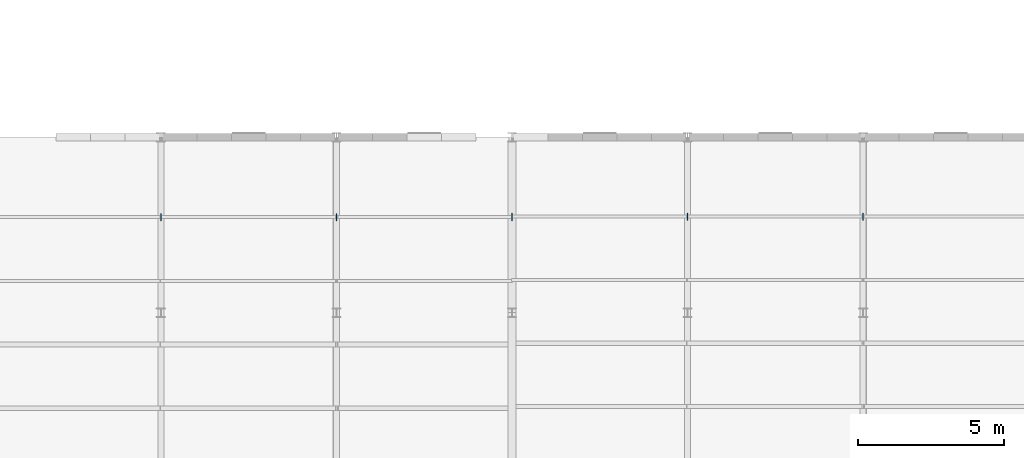
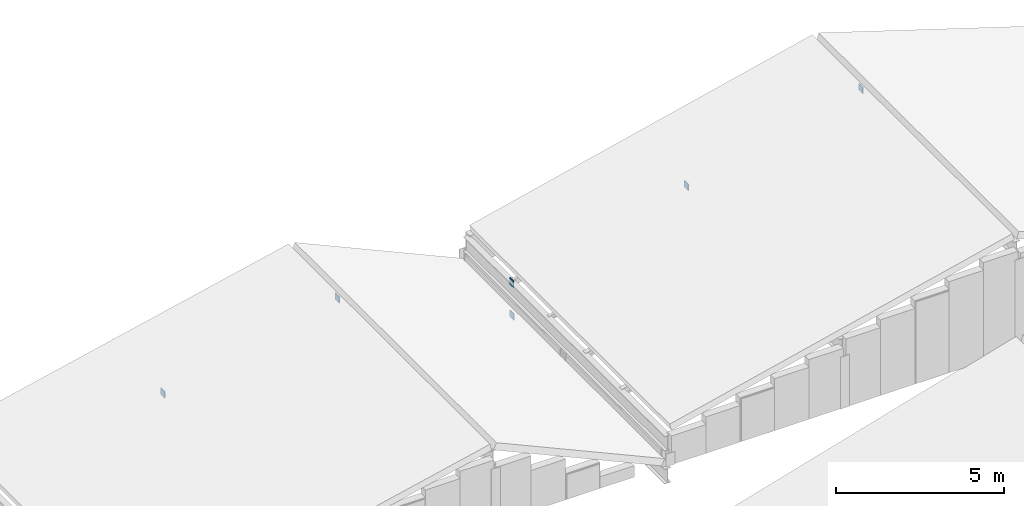
# One storey, part 59 of 74: 6 plates.
"""IFC4 building model written with IfcOpenShell, lengths in metres."""

from ifc_helpers import new_model, si_unit, direction, frame, origin, origin_2d, place, context, subcontext, project, spatial, rectangle, extrude, material, layer, layer_set, type_object, element, save


model = new_model("IFC4")

# Units and contexts
model_context = context("Model", 3, precision=1e-05, world=origin(), true_north=direction((0.0, 1.0)))
body_context = subcontext(model_context, "Body", "Model", "MODEL_VIEW")
ifc_project = project(units=[si_unit("LENGTHUNIT", "METRE"), si_unit("AREAUNIT", "SQUARE_METRE"), si_unit("VOLUMEUNIT", "CUBIC_METRE"), si_unit("PLANEANGLEUNIT", "RADIAN"), si_unit("MASSUNIT", "GRAM", prefix="KILO")], contexts=[model_context])

# Site, building, storey
site_placement = place(None, origin())
site = spatial("IfcSite", under=ifc_project, at=site_placement, CompositionType="ELEMENT")
building_placement = place(site_placement, origin())
building = spatial("IfcBuilding", under=site, at=building_placement, Name="Siltcreek Boulevard Central Fire Station", CompositionType="ELEMENT")
storey_placement = place(building_placement, frame((0.0, 0.0, 25.199951171875)))
storey = spatial("IfcBuildingStorey", under=building, at=storey_placement, Name="RF", CompositionType="ELEMENT", Elevation=25.199951171875)

# Plates
ifc_material = material(Name="Structural steel ASTM A572 Gr50", Category="steel")
ifc_layer = layer(ifc_material, 0.02490234375, Name="Structural steel ASTM A572 Gr50")
ifc_layer_set = layer_set([ifc_layer], Name="Structural steel ASTM A572 Gr50")
plate_type = type_object("IfcPlateType", Name="PL_CAP25", PredefinedType="USERDEFINED", material=ifc_layer_set)
for number, where, z_axis, x_axis, name in (
    (1, (130.2001953125, 27.27001953125, -10.19287109375), (0.0, 0.0, 1.0), (1.0, 0.0, 0.0), "Sloped roof purlin PR-0299 sealed end cap 2"),
    (2, (136.2001953125, 27.27001953125, -8.8427734375), (0.0, 0.0, 1.0), (1.0, 0.0, 0.0), "Sloped roof purlin PR-0303 sealed end cap 2"),
    (3, (142.19970703125, 27.27001953125, -11.5673828125), (0.0, 0.0, 1.0), (1.0, 0.0, 0.0), "Sloped roof purlin PR-0307 sealed end cap 2"),
    (4, (142.19970703125, 27.285888671875, -10.3935546875), (0.0, 0.0, 1.0), (1.0, 0.0, 0.0), "Sloped roof purlin PR-0335 sealed end cap 1"),
    (5, (148.2001953125, 27.285888671875, -8.96875), (0.0, 0.0, 1.0), (1.0, 0.0, 0.0), "Sloped roof purlin PR-0335 sealed end cap 2"),
    (6, (154.2001953125, 27.285888671875, -7.54345703125), (0.0, 0.0, 1.0), (1.0, 0.0, 0.0), "Sloped roof purlin PR-0339 sealed end cap 2"),
):
    element("IfcPlate", number, at=place(storey_placement, frame(where, z_axis=z_axis, x_axis=x_axis)), inside=storey, type_object=plate_type, Name=name, ObjectType="END CAP", PredefinedType="USERDEFINED", context=body_context, shape_type="SweptSolid", body=[
        extrude(rectangle(XDim=0.02490234375, YDim=0.239990234375, at=origin_2d()), origin(), (0.0, 0.0, 1.0), 0.239990234375),
    ])

save(model, "model.ifc")
